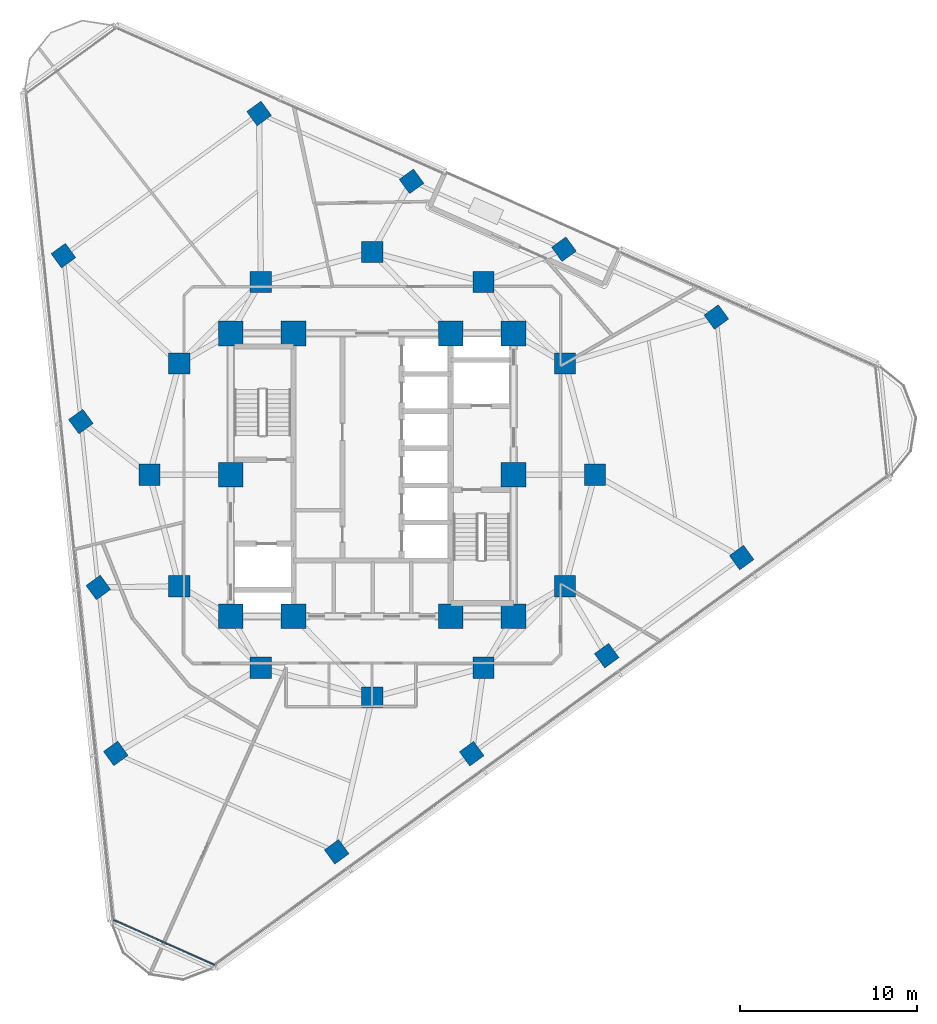
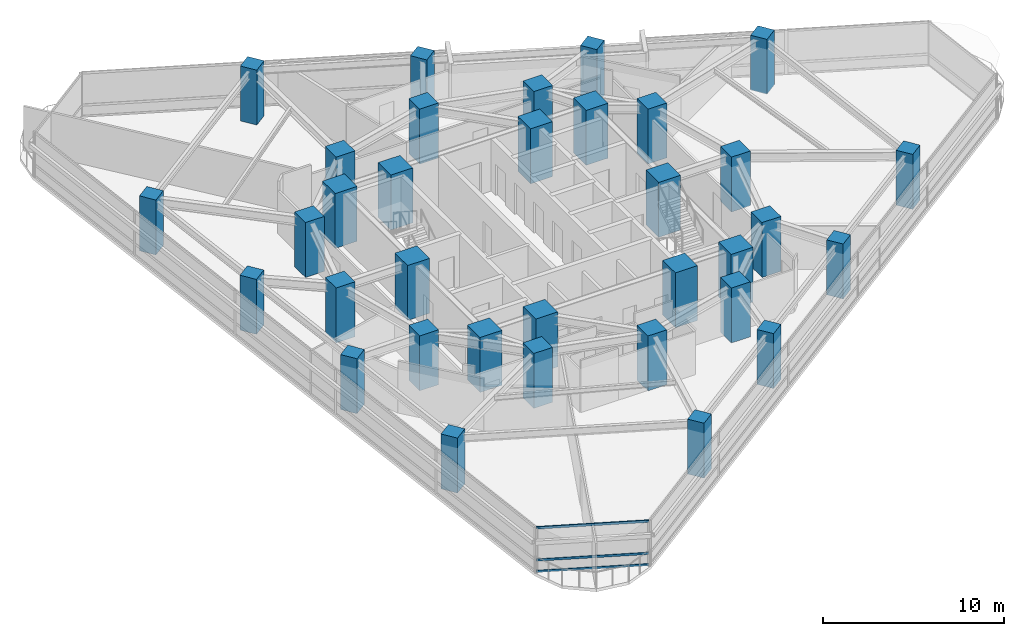
# One storey, part 1 of 14: 34 columns, 3 members, 1 element without a shape of its own.
"""IFC4 building model written with IfcOpenShell, lengths in metres."""

from ifc_helpers import new_model, si_unit, direction, frame, origin, origin_2d, place, context, subcontext, project, spatial, rectangle, extrude, material, layer, layer_set, material_profile, profile_set, type_object, element, aggregate, save


model = new_model("IFC4")

# Units and contexts
model_context = context("Model", 3, precision=1e-05, world=origin(), true_north=direction((0.0, 1.0)))
body_context = subcontext(model_context, "Body", "Model", "MODEL_VIEW")
ifc_project = project(units=[si_unit("LENGTHUNIT", "METRE"), si_unit("AREAUNIT", "SQUARE_METRE"), si_unit("VOLUMEUNIT", "CUBIC_METRE"), si_unit("PLANEANGLEUNIT", "RADIAN"), si_unit("MASSUNIT", "GRAM", prefix="KILO")], contexts=[model_context])

# Site, building, storey
site_placement = place(None, origin())
site = spatial("IfcSite", under=ifc_project, at=site_placement, CompositionType="ELEMENT")
building_placement = place(site_placement, origin())
building = spatial("IfcBuilding", under=site, at=building_placement, Name="Terralouvre Media Tower", CompositionType="ELEMENT")
storey_placement = place(building_placement, frame((0.0, 0.0, 176.800048828125)))
storey = spatial("IfcBuildingStorey", under=building, at=storey_placement, Name="L45", CompositionType="ELEMENT", Elevation=176.800048828125)

# Columns
ifc_material_1 = material(Name="Concrete C50/60", Category="concrete")
ifc_material_profile_1 = material_profile(ifc_material_1, rectangle(XDim=1.0, YDim=1.0, at=origin_2d()), Name="RC 1000x1000")
ifc_profile_set_1 = profile_set([ifc_material_profile_1], Name="Concrete C50/60")
column_type_1 = type_object("IfcColumnType", Name="Structural Column C-RC1000 (RC 1000x1000)", PredefinedType="COLUMN", material=ifc_profile_set_1)
for number, where, z_axis, x_axis, name in (
    (1, (-2.0068359375, -21.328369140625, 0.0), (0.0, 0.0, 1.0), (0.809016994375, 0.587785252292, 0.0), "L45 Perimeter Mega-Column PC11"),
    (2, (5.63037109375, -15.77978515625, 0.0), (0.0, 0.0, 1.0), (0.809016994375, 0.587785252292, 0.0), "L45 Perimeter Mega-Column PC12"),
    (3, (13.267578125, -10.23095703125, 0.0), (0.0, 0.0, 1.0), (0.809016994375, 0.587785252292, 0.0), "L45 Perimeter Mega-Column PC13"),
    (4, (20.904541015625, -4.682373046875, 0.0), (0.0, 0.0, 1.0), (0.809016994375, 0.587785252292, 0.0), "L45 Perimeter Mega-Column PC14"),
    (5, (19.474365234375, 8.92626953125, 0.0), (0.0, 0.0, 1.0), (0.809016994375, 0.587785252292, 0.0), "L45 Perimeter Mega-Column PC21"),
    (6, (10.850341796875, 12.765869140625, 0.0), (0.0, 0.0, 1.0), (0.809016994375, 0.587785252292, 0.0), "L45 Perimeter Mega-Column PC22"),
    (7, (2.2265625, 16.60546875, 0.0), (0.0, 0.0, 1.0), (0.809016994375, 0.587785252292, 0.0), "L45 Perimeter Mega-Column PC23"),
    (8, (-6.397216796875, 20.445068359375, 0.0), (0.0, 0.0, 1.0), (0.809016994375, 0.587785252292, 0.0), "L45 Perimeter Mega-Column PC24"),
    (9, (-17.467529296875, 12.402099609375, 0.0), (0.0, 0.0, 1.0), (0.809016994375, 0.587785252292, 0.0), "L45 Perimeter Mega-Column PC31"),
    (10, (-16.480712890625, 3.013916015625, 0.0), (0.0, 0.0, 1.0), (0.809016994375, 0.587785252292, 0.0), "L45 Perimeter Mega-Column PC32"),
    (11, (-15.494140625, -6.37451171875, 0.0), (0.0, 0.0, 1.0), (0.809016994375, 0.587785252292, 0.0), "L45 Perimeter Mega-Column PC33"),
    (12, (-14.50732421875, -15.7626953125, 0.0), (0.0, 0.0, 1.0), (0.809016994375, 0.587785252292, 0.0), "L45 Perimeter Mega-Column PC34"),
):
    element("IfcColumn", number, at=place(storey_placement, frame(where, z_axis=z_axis, x_axis=x_axis)), inside=storey, type_object=column_type_1, Name=name, PredefinedType="COLUMN", context=body_context, shape_type="SweptSolid", body=[
        extrude(rectangle(XDim=1.0, YDim=1.0, at=origin_2d()), origin(), (0.0, 0.0, 1.0), 3.699951171875),
    ])
ifc_material_2 = material(Name="Concrete C60/75", Category="concrete")
ifc_material_profile_2 = material_profile(ifc_material_2, rectangle(XDim=1.199951171875, YDim=1.199951171875, at=origin_2d()), Name="RC 1200x1200")
ifc_profile_set_2 = profile_set([ifc_material_profile_2], Name="Concrete C60/75")
column_type_2 = type_object("IfcColumnType", Name="Structural Column C-RC1200 (RC 1200x1200)", PredefinedType="COLUMN", material=ifc_profile_set_2)
for number, where, z_axis, x_axis, name in (
    (13, (12.60009765625, 0.0, 0.0), (0.0, 0.0, 1.0), (1.0, 0.0, 0.0), "L45 Mega-Frame Column MC01"),
    (14, (10.911865234375, 6.300048828125, 0.0), (0.0, 0.0, 1.0), (1.0, 0.0, 0.0), "L45 Mega-Frame Column MC02"),
    (15, (6.300048828125, 10.911865234375, 0.0), (0.0, 0.0, 1.0), (1.0, 0.0, 0.0), "L45 Mega-Frame Column MC03"),
    (16, (0.0, 12.60009765625, 0.0), (0.0, 0.0, 1.0), (1.0, 0.0, 0.0), "L45 Mega-Frame Column MC04"),
    (17, (-6.300048828125, 10.911865234375, 0.0), (0.0, 0.0, 1.0), (1.0, 0.0, 0.0), "L45 Mega-Frame Column MC05"),
    (18, (-10.911865234375, 6.300048828125, 0.0), (0.0, 0.0, 1.0), (1.0, 0.0, 0.0), "L45 Mega-Frame Column MC06"),
    (19, (-12.60009765625, 0.0, 0.0), (0.0, 0.0, 1.0), (1.0, 0.0, 0.0), "L45 Mega-Frame Column MC07"),
    (20, (-10.911865234375, -6.300048828125, 0.0), (0.0, 0.0, 1.0), (1.0, 0.0, 0.0), "L45 Mega-Frame Column MC08"),
    (21, (-6.300048828125, -10.911865234375, 0.0), (0.0, 0.0, 1.0), (1.0, 0.0, 0.0), "L45 Mega-Frame Column MC09"),
    (22, (0.0, -12.60009765625, 0.0), (0.0, 0.0, 1.0), (1.0, 0.0, 0.0), "L45 Mega-Frame Column MC10"),
    (23, (6.300048828125, -10.911865234375, 0.0), (0.0, 0.0, 1.0), (1.0, 0.0, 0.0), "L45 Mega-Frame Column MC11"),
    (24, (10.911865234375, -6.300048828125, 0.0), (0.0, 0.0, 1.0), (1.0, 0.0, 0.0), "L45 Mega-Frame Column MC12"),
):
    element("IfcColumn", number, at=place(storey_placement, frame(where, z_axis=z_axis, x_axis=x_axis)), inside=storey, type_object=column_type_2, Name=name, PredefinedType="COLUMN", context=body_context, shape_type="SweptSolid", body=[
        extrude(rectangle(XDim=1.199951171875, YDim=1.199951171875, at=origin_2d()), origin(), (0.0, 0.0, 1.0), 3.699951171875),
    ])
ifc_material_3 = material(Name="Concrete C60/75", Category="concrete")
ifc_material_profile_3 = material_profile(ifc_material_3, rectangle(XDim=1.39990234375, YDim=1.39990234375, at=origin_2d()), Name="RC 1400x1400")
ifc_profile_set_3 = profile_set([ifc_material_profile_3], Name="Concrete C60/75")
column_type_3 = type_object("IfcColumnType", Name="Structural Column C-RC1400 (RC 1400x1400)", PredefinedType="COLUMN", material=ifc_profile_set_3)
for number, where, z_axis, x_axis, name in (
    (25, (-8.0, -8.0, 0.0), (0.0, 0.0, 1.0), (1.0, 0.0, 0.0), "L45 Core Pilaster Column CP1"),
    (26, (-4.449951171875, -8.0, 0.0), (0.0, 0.0, 1.0), (1.0, 0.0, 0.0), "L45 Core Pilaster Column CP2"),
    (27, (4.449951171875, -8.0, 0.0), (0.0, 0.0, 1.0), (1.0, 0.0, 0.0), "L45 Core Pilaster Column CP10"),
    (28, (8.0, -8.0, 0.0), (0.0, 0.0, 1.0), (1.0, 0.0, 0.0), "L45 Core Pilaster Column CP3"),
    (29, (8.0, 0.0, 0.0), (0.0, 0.0, 1.0), (1.0, 0.0, 0.0), "L45 Core Pilaster Column CP4"),
    (30, (8.0, 8.0, 0.0), (0.0, 0.0, 1.0), (1.0, 0.0, 0.0), "L45 Core Pilaster Column CP5"),
    (31, (4.449951171875, 8.0, 0.0), (0.0, 0.0, 1.0), (1.0, 0.0, 0.0), "L45 Core Pilaster Column CP9"),
    (32, (-4.449951171875, 8.0, 0.0), (0.0, 0.0, 1.0), (1.0, 0.0, 0.0), "L45 Core Pilaster Column CP6"),
    (33, (-8.0, 8.0, 0.0), (0.0, 0.0, 1.0), (1.0, 0.0, 0.0), "L45 Core Pilaster Column CP7"),
    (34, (-8.0, 0.0, 0.0), (0.0, 0.0, 1.0), (1.0, 0.0, 0.0), "L45 Core Pilaster Column CP8"),
):
    element("IfcColumn", number, at=place(storey_placement, frame(where, z_axis=z_axis, x_axis=x_axis)), inside=storey, type_object=column_type_3, Name=name, PredefinedType="COLUMN", context=body_context, shape_type="SweptSolid", body=[
        extrude(rectangle(XDim=1.39990234375, YDim=1.39990234375, at=origin_2d()), origin(), (0.0, 0.0, 1.0), 3.699951171875),
    ])

# Curtain wall, members
ifc_material_4 = material(Name="Low-iron laminated double glazing with solar-control coating", Category="glass")
ifc_layer = layer(ifc_material_4, 0.1650390625, Name="Rounded Wind-Corner Curved Glazing CW-04")
ifc_layer_set = layer_set([ifc_layer], Name="Low-iron laminated double glazing with solar-control coating")
curtain_wall_type = type_object("IfcCurtainWallType", Name="Rounded Wind-Corner Curved Glazing CW-04", PredefinedType="NOTDEFINED", material=ifc_layer_set)
curtain_wall_placement = place(storey_placement, origin())
curtain_wall = element("IfcCurtainWall", 35, at=curtain_wall_placement, inside=storey, type_object=curtain_wall_type, Name="L45 Rounded Wind-Corner Curtain Wall C0", PredefinedType="NOTDEFINED")
ifc_material_5 = material(Name="Anodised extruded aluminium 6063-T6", Category="aluminium")
ifc_material_profile_4 = material_profile(ifc_material_5, rectangle(XDim=0.074951171875, YDim=0.14990234375, at=origin_2d()), Name="ALU 75x150")
ifc_profile_set_4 = profile_set([ifc_material_profile_4], Name="Anodised extruded aluminium 6063-T6")
member_type = type_object("IfcMemberType", Name="Curtain-Wall Horizontal Transom TR-150", PredefinedType="USERDEFINED", material=ifc_profile_set_4)
member_1_placement = place(storey_placement, frame((-14.63818359375, -25.184326171875, 0.037353515625), z_axis=(0.913542712087, -0.406742809639, 0.0), x_axis=(0.406742809639, 0.913542712087, 0.0)))
member_1 = element("IfcMember", 36, at=member_1_placement, type_object=member_type, Name="CW-04 transom 1.1", ObjectType="TRANSOM", PredefinedType="USERDEFINED", context=body_context, shape_type="SweptSolid", body=[
    extrude(rectangle(XDim=0.074951171875, YDim=0.14990234375, at=origin_2d()), origin(), (0.0, 0.0, 1.0), 6.258544921875),
])
member_2_placement = place(storey_placement, frame((-14.63818359375, -25.184326171875, 0.800048828125), z_axis=(0.913542712087, -0.406742809639, 0.0), x_axis=(0.406742809639, 0.913542712087, 0.0)))
member_2 = element("IfcMember", 37, at=member_2_placement, type_object=member_type, Name="CW-04 transom 1.2", ObjectType="TRANSOM", PredefinedType="USERDEFINED", context=body_context, shape_type="SweptSolid", body=[
    extrude(rectangle(XDim=0.074951171875, YDim=0.14990234375, at=origin_2d()), origin(), (0.0, 0.0, 1.0), 6.258544921875),
])
member_3_placement = place(storey_placement, frame((-14.63818359375, -25.184326171875, 2.96240234375), z_axis=(0.913542712087, -0.406742809639, 0.0), x_axis=(0.406742809639, 0.913542712087, 0.0)))
member_3 = element("IfcMember", 38, at=member_3_placement, type_object=member_type, Name="CW-04 transom 1.3", ObjectType="TRANSOM", PredefinedType="USERDEFINED", context=body_context, shape_type="SweptSolid", body=[
    extrude(rectangle(XDim=0.074951171875, YDim=0.14990234375, at=origin_2d()), origin(), (0.0, 0.0, 1.0), 6.258544921875),
])
aggregate(curtain_wall, [member_1, member_2, member_3])

save(model, "model.ifc")
